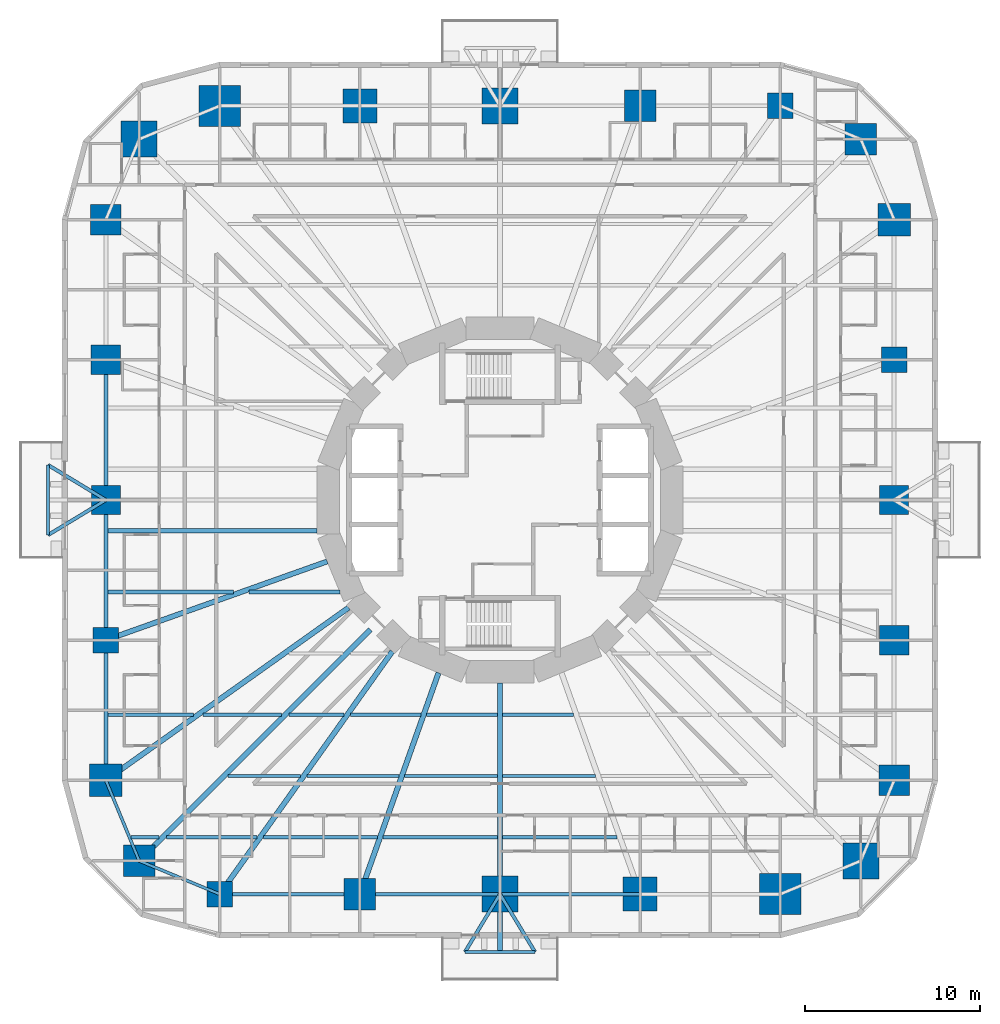
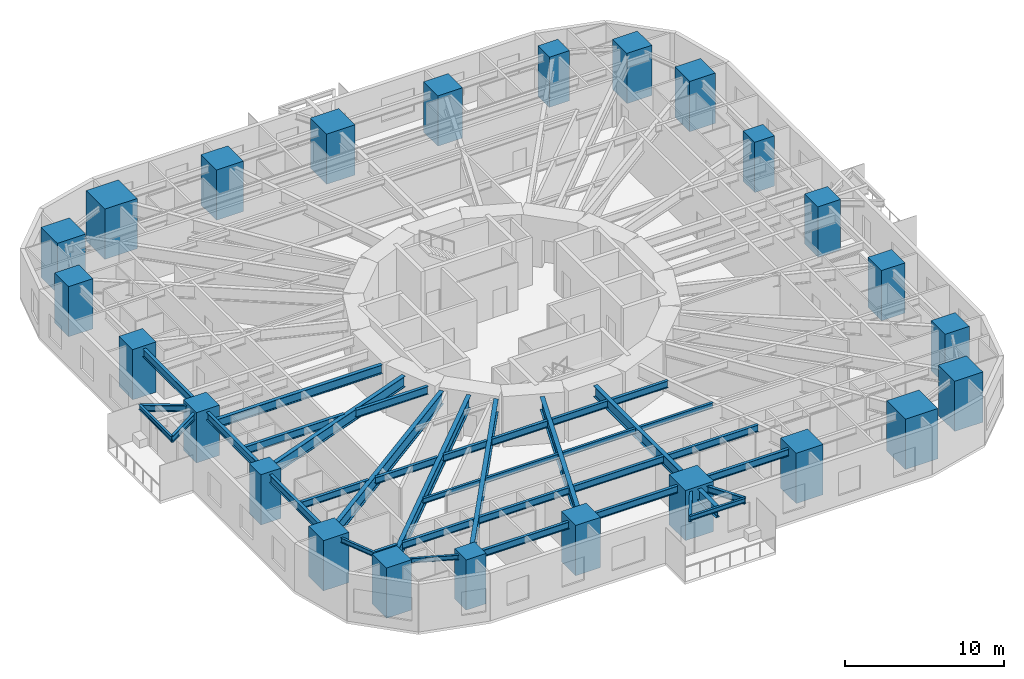
# One storey, part 1 of 14: 38 beams, 24 columns.
"""IFC4 building model written with IfcOpenShell, lengths in metres."""

from ifc_helpers import new_model, si_unit, direction, frame, origin, origin_2d, place, context, subcontext, project, spatial, rectangle, i_section, extrude, material, material_profile, profile_set, type_object, element, save


model = new_model("IFC4")

# Units and contexts
model_context = context("Model", 3, precision=1e-05, world=origin(), true_north=direction((0.0, 1.0)))
body_context = subcontext(model_context, "Body", "Model", "MODEL_VIEW")
ifc_project = project(units=[si_unit("LENGTHUNIT", "METRE"), si_unit("AREAUNIT", "SQUARE_METRE"), si_unit("VOLUMEUNIT", "CUBIC_METRE"), si_unit("PLANEANGLEUNIT", "RADIAN"), si_unit("MASSUNIT", "GRAM", prefix="KILO")], contexts=[model_context])

# Site, building, storey
site_placement = place(None, origin())
site = spatial("IfcSite", under=ifc_project, at=site_placement, CompositionType="ELEMENT")
building_placement = place(site_placement, origin())
building = spatial("IfcBuilding", under=site, at=building_placement, Name="Nakasero Lantern House", CompositionType="ELEMENT")
storey_placement = place(building_placement, frame((0.0, 0.0, 31.39990234375)))
storey = spatial("IfcBuildingStorey", under=building, at=storey_placement, Name="L07", CompositionType="ELEMENT", Elevation=31.39990234375)

# Columns
ifc_material_1 = material(Name="Concrete C50/60", Category="concrete")
ifc_material_profile_1 = material_profile(ifc_material_1, rectangle(XDim=1.800048828125, YDim=1.800048828125, at=origin_2d()), Name="RC 1800x1800")
ifc_profile_set_1 = profile_set([ifc_material_profile_1], Name="Concrete C50/60")
column_type_1 = type_object("IfcColumnType", Name="Mega column RC 1800x1800 C50/60", PredefinedType="COLUMN", material=ifc_profile_set_1)
for number, where, z_axis, x_axis, name in (
    (1, (20.59619140625, 20.59619140625, 0.0), (0.0, 0.0, 1.0), (1.0, 0.0, 0.0), "Column B1-C06 L07"),
    (2, (-20.59619140625, -20.59619140625, 0.0), (0.0, 0.0, 1.0), (1.0, 0.0, 0.0), "Column B1-C18 L07"),
):
    element("IfcColumn", number, at=place(storey_placement, frame(where, z_axis=z_axis, x_axis=x_axis)), inside=storey, type_object=column_type_1, Name=name, PredefinedType="COLUMN", context=body_context, shape_type="SweptSolid", body=[
        extrude(rectangle(XDim=1.800048828125, YDim=1.800048828125, at=origin_2d()), origin(), (0.0, 0.0, 1.0), 3.85009765625),
    ])
ifc_material_2 = material(Name="Concrete C50/60", Category="concrete")
ifc_material_profile_2 = material_profile(ifc_material_2, rectangle(XDim=2.050048828125, YDim=2.050048828125, at=origin_2d()), Name="RC 2050x2050")
ifc_profile_set_2 = profile_set([ifc_material_profile_2], Name="Concrete C50/60")
column_type_2 = type_object("IfcColumnType", Name="Mega column RC 2050x2050 C50/60", PredefinedType="COLUMN", material=ifc_profile_set_2)
for number, where, z_axis, x_axis, name in (
    (3, (-20.59619140625, 20.59619140625, 0.0), (0.0, 0.0, 1.0), (1.0, 0.0, 0.0), "Column B1-C12 L07"),
    (4, (20.59619140625, -20.59619140625, 0.0), (0.0, 0.0, 1.0), (1.0, 0.0, 0.0), "Column B1-C24 L07"),
):
    element("IfcColumn", number, at=place(storey_placement, frame(where, z_axis=z_axis, x_axis=x_axis)), inside=storey, type_object=column_type_2, Name=name, PredefinedType="COLUMN", context=body_context, shape_type="SweptSolid", body=[
        extrude(rectangle(XDim=2.050048828125, YDim=2.050048828125, at=origin_2d()), origin(), (0.0, 0.0, 1.0), 3.85009765625),
    ])
ifc_material_3 = material(Name="Concrete C50/60", Category="concrete")
ifc_material_profile_3 = material_profile(ifc_material_3, rectangle(XDim=1.449951171875, YDim=1.449951171875, at=origin_2d()), Name="RC 1450x1450")
ifc_profile_set_3 = profile_set([ifc_material_profile_3], Name="Concrete C50/60")
column_type_3 = type_object("IfcColumnType", Name="Ring column RC 1450x1450 C50/60", PredefinedType="COLUMN", material=ifc_profile_set_3)
for number, where, z_axis, x_axis, name in (
    (5, (22.5, 8.0, 0.0), (0.0, 0.0, 1.0), (1.0, 0.0, 0.0), "Column B1-C04 L07"),
    (6, (16.0, 22.5, 0.0), (0.0, 0.0, 1.0), (1.0, 0.0, 0.0), "Column B1-C07 L07"),
    (7, (-22.5, -8.0, 0.0), (0.0, 0.0, 1.0), (1.0, 0.0, 0.0), "Column B1-C16 L07"),
    (8, (-16.0, -22.5, 0.0), (0.0, 0.0, 1.0), (1.0, 0.0, 0.0), "Column B1-C19 L07"),
):
    element("IfcColumn", number, at=place(storey_placement, frame(where, z_axis=z_axis, x_axis=x_axis)), inside=storey, type_object=column_type_3, Name=name, PredefinedType="COLUMN", context=body_context, shape_type="SweptSolid", body=[
        extrude(rectangle(XDim=1.449951171875, YDim=1.449951171875, at=origin_2d()), origin(), (0.0, 0.0, 1.0), 3.85009765625),
    ])
ifc_material_4 = material(Name="Concrete C50/60", Category="concrete")
ifc_material_profile_4 = material_profile(ifc_material_4, rectangle(XDim=1.64990234375, YDim=1.64990234375, at=origin_2d()), Name="RC 1650x1650")
ifc_profile_set_4 = profile_set([ifc_material_profile_4], Name="Concrete C50/60")
column_type_4 = type_object("IfcColumnType", Name="Ring column RC 1650x1650 C50/60", PredefinedType="COLUMN", material=ifc_profile_set_4)
for number, where, z_axis, x_axis, name in (
    (9, (22.5, 0.0, 0.0), (0.0, 0.0, 1.0), (1.0, 0.0, 0.0), "Column B1-C03 L07"),
    (10, (-22.5, 0.0, 0.0), (0.0, 0.0, 1.0), (1.0, 0.0, 0.0), "Column B1-C15 L07"),
):
    element("IfcColumn", number, at=place(storey_placement, frame(where, z_axis=z_axis, x_axis=x_axis)), inside=storey, type_object=column_type_4, Name=name, PredefinedType="COLUMN", context=body_context, shape_type="SweptSolid", body=[
        extrude(rectangle(XDim=1.64990234375, YDim=1.64990234375, at=origin_2d()), origin(), (0.0, 0.0, 1.0), 3.85009765625),
    ])
ifc_material_5 = material(Name="Concrete C50/60", Category="concrete")
ifc_material_profile_5 = material_profile(ifc_material_5, rectangle(XDim=1.699951171875, YDim=1.699951171875, at=origin_2d()), Name="RC 1700x1700")
ifc_profile_set_5 = profile_set([ifc_material_profile_5], Name="Concrete C50/60")
column_type_5 = type_object("IfcColumnType", Name="Ring column RC 1700x1700 C50/60", PredefinedType="COLUMN", material=ifc_profile_set_5)
for number, where, z_axis, x_axis, name in (
    (11, (22.5, -8.0, 0.0), (0.0, 0.0, 1.0), (1.0, 0.0, 0.0), "Column B1-C02 L07"),
    (12, (-22.5, 8.0, 0.0), (0.0, 0.0, 1.0), (1.0, 0.0, 0.0), "Column B1-C14 L07"),
):
    element("IfcColumn", number, at=place(storey_placement, frame(where, z_axis=z_axis, x_axis=x_axis)), inside=storey, type_object=column_type_5, Name=name, PredefinedType="COLUMN", context=body_context, shape_type="SweptSolid", body=[
        extrude(rectangle(XDim=1.699951171875, YDim=1.699951171875, at=origin_2d()), origin(), (0.0, 0.0, 1.0), 3.85009765625),
    ])
ifc_material_6 = material(Name="Concrete C50/60", Category="concrete")
ifc_material_profile_6 = material_profile(ifc_material_6, rectangle(XDim=1.75, YDim=1.75, at=origin_2d()), Name="RC 1750x1750")
ifc_profile_set_6 = profile_set([ifc_material_profile_6], Name="Concrete C50/60")
column_type_6 = type_object("IfcColumnType", Name="Ring column RC 1750x1750 C50/60", PredefinedType="COLUMN", material=ifc_profile_set_6)
for number, where, z_axis, x_axis, name in (
    (13, (22.5, -16.0, 0.0), (0.0, 0.0, 1.0), (1.0, 0.0, 0.0), "Column B1-C01 L07"),
    (14, (-22.5, 16.0, 0.0), (0.0, 0.0, 1.0), (1.0, 0.0, 0.0), "Column B1-C13 L07"),
):
    element("IfcColumn", number, at=place(storey_placement, frame(where, z_axis=z_axis, x_axis=x_axis)), inside=storey, type_object=column_type_6, Name=name, PredefinedType="COLUMN", context=body_context, shape_type="SweptSolid", body=[
        extrude(rectangle(XDim=1.75, YDim=1.75, at=origin_2d()), origin(), (0.0, 0.0, 1.0), 3.85009765625),
    ])
ifc_material_7 = material(Name="Concrete C50/60", Category="concrete")
ifc_material_profile_7 = material_profile(ifc_material_7, rectangle(XDim=1.800048828125, YDim=1.800048828125, at=origin_2d()), Name="RC 1800x1800")
ifc_profile_set_7 = profile_set([ifc_material_profile_7], Name="Concrete C50/60")
column_type_7 = type_object("IfcColumnType", Name="Ring column RC 1800x1800 C50/60", PredefinedType="COLUMN", material=ifc_profile_set_7)
for number, where, z_axis, x_axis, name in (
    (15, (8.0, 22.5, 0.0), (0.0, 0.0, 1.0), (1.0, 0.0, 0.0), "Column B1-C08 L07"),
    (16, (-8.0, -22.5, 0.0), (0.0, 0.0, 1.0), (1.0, 0.0, 0.0), "Column B1-C20 L07"),
):
    element("IfcColumn", number, at=place(storey_placement, frame(where, z_axis=z_axis, x_axis=x_axis)), inside=storey, type_object=column_type_7, Name=name, PredefinedType="COLUMN", context=body_context, shape_type="SweptSolid", body=[
        extrude(rectangle(XDim=1.800048828125, YDim=1.800048828125, at=origin_2d()), origin(), (0.0, 0.0, 1.0), 3.85009765625),
    ])
ifc_material_8 = material(Name="Concrete C50/60", Category="concrete")
ifc_material_profile_8 = material_profile(ifc_material_8, rectangle(XDim=1.85009765625, YDim=1.85009765625, at=origin_2d()), Name="RC 1850x1850")
ifc_profile_set_8 = profile_set([ifc_material_profile_8], Name="Concrete C50/60")
column_type_8 = type_object("IfcColumnType", Name="Ring column RC 1850x1850 C50/60", PredefinedType="COLUMN", material=ifc_profile_set_8)
for number, where, z_axis, x_axis, name in (
    (17, (22.5, 16.0, 0.0), (0.0, 0.0, 1.0), (1.0, 0.0, 0.0), "Column B1-C05 L07"),
    (18, (-22.5, -16.0, 0.0), (0.0, 0.0, 1.0), (1.0, 0.0, 0.0), "Column B1-C17 L07"),
):
    element("IfcColumn", number, at=place(storey_placement, frame(where, z_axis=z_axis, x_axis=x_axis)), inside=storey, type_object=column_type_8, Name=name, PredefinedType="COLUMN", context=body_context, shape_type="SweptSolid", body=[
        extrude(rectangle(XDim=1.85009765625, YDim=1.85009765625, at=origin_2d()), origin(), (0.0, 0.0, 1.0), 3.85009765625),
    ])
ifc_material_9 = material(Name="Concrete C50/60", Category="concrete")
ifc_material_profile_9 = material_profile(ifc_material_9, rectangle(XDim=1.949951171875, YDim=1.949951171875, at=origin_2d()), Name="RC 1950x1950")
ifc_profile_set_9 = profile_set([ifc_material_profile_9], Name="Concrete C50/60")
column_type_9 = type_object("IfcColumnType", Name="Ring column RC 1950x1950 C50/60", PredefinedType="COLUMN", material=ifc_profile_set_9)
for number, where, z_axis, x_axis, name in (
    (19, (-8.0, 22.5, 0.0), (0.0, 0.0, 1.0), (1.0, 0.0, 0.0), "Column B1-C10 L07"),
    (20, (8.0, -22.5, 0.0), (0.0, 0.0, 1.0), (1.0, 0.0, 0.0), "Column B1-C22 L07"),
):
    element("IfcColumn", number, at=place(storey_placement, frame(where, z_axis=z_axis, x_axis=x_axis)), inside=storey, type_object=column_type_9, Name=name, PredefinedType="COLUMN", context=body_context, shape_type="SweptSolid", body=[
        extrude(rectangle(XDim=1.949951171875, YDim=1.949951171875, at=origin_2d()), origin(), (0.0, 0.0, 1.0), 3.85009765625),
    ])
ifc_material_10 = material(Name="Concrete C50/60", Category="concrete")
ifc_material_profile_10 = material_profile(ifc_material_10, rectangle(XDim=2.050048828125, YDim=2.050048828125, at=origin_2d()), Name="RC 2050x2050")
ifc_profile_set_10 = profile_set([ifc_material_profile_10], Name="Concrete C50/60")
column_type_10 = type_object("IfcColumnType", Name="Ring column RC 2050x2050 C50/60", PredefinedType="COLUMN", material=ifc_profile_set_10)
for number, where, z_axis, x_axis, name in (
    (21, (0.0, 22.5, 0.0), (0.0, 0.0, 1.0), (1.0, 0.0, 0.0), "Column B1-C09 L07"),
    (22, (0.0, -22.5, 0.0), (0.0, 0.0, 1.0), (1.0, 0.0, 0.0), "Column B1-C21 L07"),
):
    element("IfcColumn", number, at=place(storey_placement, frame(where, z_axis=z_axis, x_axis=x_axis)), inside=storey, type_object=column_type_10, Name=name, PredefinedType="COLUMN", context=body_context, shape_type="SweptSolid", body=[
        extrude(rectangle(XDim=2.050048828125, YDim=2.050048828125, at=origin_2d()), origin(), (0.0, 0.0, 1.0), 3.85009765625),
    ])
ifc_material_11 = material(Name="Concrete C50/60", Category="concrete")
ifc_material_profile_11 = material_profile(ifc_material_11, rectangle(XDim=2.35009765625, YDim=2.35009765625, at=origin_2d()), Name="RC 2350x2350")
ifc_profile_set_11 = profile_set([ifc_material_profile_11], Name="Concrete C50/60")
column_type_11 = type_object("IfcColumnType", Name="Ring column RC 2350x2350 C50/60", PredefinedType="COLUMN", material=ifc_profile_set_11)
for number, where, z_axis, x_axis, name in (
    (23, (-16.0, 22.5, 0.0), (0.0, 0.0, 1.0), (1.0, 0.0, 0.0), "Column B1-C11 L07"),
    (24, (16.0, -22.5, 0.0), (0.0, 0.0, 1.0), (1.0, 0.0, 0.0), "Column B1-C23 L07"),
):
    element("IfcColumn", number, at=place(storey_placement, frame(where, z_axis=z_axis, x_axis=x_axis)), inside=storey, type_object=column_type_11, Name=name, PredefinedType="COLUMN", context=body_context, shape_type="SweptSolid", body=[
        extrude(rectangle(XDim=2.35009765625, YDim=2.35009765625, at=origin_2d()), origin(), (0.0, 0.0, 1.0), 3.85009765625),
    ])

# Beams
ifc_material_12 = material(Name="Steel S355", Category="steel")
ifc_material_profile_12 = material_profile(ifc_material_12, i_section(OverallWidth=0.199462890625, OverallDepth=0.491943359375, WebThickness=0.01806640625, FlangeThickness=0.031982421875, FilletRadius=0.01025390625, at=origin_2d()), Name="UB 457x191x161")
ifc_profile_set_12 = profile_set([ifc_material_profile_12], Name="Steel S355")
beam_type_1 = type_object("IfcBeamType", Name="Balcony splay beam UB 457x191x161", PredefinedType="BEAM", material=ifc_profile_set_12)
for number, where, z_axis, x_axis, name in (
    (25, (-22.5, 0.0, 3.404052734375), (-0.855201230787, -0.518296107317, 0.0), (0.518296107317, -0.855201230787, 0.0), "Balcony splay beam L08 B1-C15A"),
    (26, (-22.5, 0.0, 3.404052734375), (-0.855201230787, 0.518296107317, 0.0), (-0.518296107317, -0.855201230787, 0.0), "Balcony splay beam L08 B1-C15B"),
    (27, (0.0, -22.5, 3.404052734375), (0.518296107317, -0.855201230787, 0.0), (0.855201230787, 0.518296107317, 0.0), "Balcony splay beam L08 B1-C21A"),
    (28, (0.0, -22.5, 3.404052734375), (-0.518296107317, -0.855201230787, 0.0), (0.855201230787, -0.518296107317, 0.0), "Balcony splay beam L08 B1-C21B"),
):
    element("IfcBeam", number, at=place(storey_placement, frame(where, z_axis=z_axis, x_axis=x_axis)), inside=storey, type_object=beam_type_1, Name=name, PredefinedType="BEAM", context=body_context, shape_type="SweptSolid", body=[
        extrude(i_section(OverallWidth=0.199462890625, OverallDepth=0.491943359375, WebThickness=0.01806640625, FlangeThickness=0.031982421875, FilletRadius=0.01025390625, at=origin_2d()), origin(), (0.0, 0.0, 1.0), 3.85888671875),
    ])
ifc_material_13 = material(Name="Steel S355", Category="steel")
ifc_material_profile_13 = material_profile(ifc_material_13, i_section(OverallWidth=0.17138671875, OverallDepth=0.35498046875, WebThickness=0.00732421875, FlangeThickness=0.011474609375, FilletRadius=0.01025390625, at=origin_2d()), Name="UB 356x171x51")
ifc_profile_set_13 = profile_set([ifc_material_profile_13], Name="Steel S355")
beam_type_2 = type_object("IfcBeamType", Name="Balcony tie beam UB 356x171x51", PredefinedType="BEAM", material=ifc_profile_set_13)
for number, where, z_axis, x_axis, name in (
    (29, (-25.800048828125, -2.0, 3.47265625), (0.0, 1.0, 0.0), (-1.0, 0.0, 0.0), "Balcony tie beam L08 B1-C15"),
    (30, (2.0, -25.800048828125, 3.47265625), (-1.0, 0.0, 0.0), (0.0, -1.0, 0.0), "Balcony tie beam L08 B1-C21"),
):
    element("IfcBeam", number, at=place(storey_placement, frame(where, z_axis=z_axis, x_axis=x_axis)), inside=storey, type_object=beam_type_2, Name=name, PredefinedType="BEAM", context=body_context, shape_type="SweptSolid", body=[
        extrude(i_section(OverallWidth=0.17138671875, OverallDepth=0.35498046875, WebThickness=0.00732421875, FlangeThickness=0.011474609375, FilletRadius=0.01025390625, at=origin_2d()), origin(), (0.0, 0.0, 1.0), 4.0),
    ])
ifc_material_14 = material(Name="Steel S355", Category="steel")
ifc_material_profile_14 = material_profile(ifc_material_14, i_section(OverallWidth=0.177978515625, OverallDepth=0.406494140625, WebThickness=0.0078125, FlangeThickness=0.0126953125, FilletRadius=0.01025390625, at=origin_2d()), Name="UB 406x178x60")
ifc_profile_set_14 = profile_set([ifc_material_profile_14], Name="Steel S355")
beam_type_3 = type_object("IfcBeamType", Name="Infill beam UB 406x178x60", PredefinedType="JOIST", material=ifc_profile_set_14)
beam_1_placement = place(storey_placement, frame((-15.537841796875, -15.75, 3.44677734375), z_axis=(1.0, 0.0, 0.0), x_axis=(0.0, 1.0, 0.0)))
element("IfcBeam", 31, at=beam_1_placement, inside=storey, type_object=beam_type_3, Name="Infill beam L08 03.1", PredefinedType="JOIST", context=body_context, shape_type="SweptSolid", body=[
    extrude(i_section(OverallWidth=0.177978515625, OverallDepth=0.406494140625, WebThickness=0.0078125, FlangeThickness=0.0126953125, FilletRadius=0.01025390625, at=origin_2d()), origin(), (0.0, 0.0, 1.0), 4.15380859375),
])
beam_2_placement = place(storey_placement, frame((-11.015869140625, -15.75, 3.44677734375), z_axis=(1.0, 0.0, 0.0), x_axis=(0.0, 1.0, 0.0)))
element("IfcBeam", 32, at=beam_2_placement, inside=storey, type_object=beam_type_3, Name="Infill beam L08 03.2", PredefinedType="JOIST", context=body_context, shape_type="SweptSolid", body=[
    extrude(i_section(OverallWidth=0.177978515625, OverallDepth=0.406494140625, WebThickness=0.0078125, FlangeThickness=0.0126953125, FilletRadius=0.01025390625, at=origin_2d()), origin(), (0.0, 0.0, 1.0), 5.256591796875),
])
for number, where, z_axis, x_axis, name in (
    (33, (-5.44091796875, -15.75, 3.44677734375), (1.0, 0.0, 0.0), (0.0, 1.0, 0.0), "Infill beam L08 03.3"),
    (34, (0.146240234375, -15.75, 3.44677734375), (1.0, 0.0, 0.0), (0.0, 1.0, 0.0), "Infill beam L08 03.4"),
):
    element("IfcBeam", number, at=place(storey_placement, frame(where, z_axis=z_axis, x_axis=x_axis)), inside=storey, type_object=beam_type_3, Name=name, PredefinedType="JOIST", context=body_context, shape_type="SweptSolid", body=[
        extrude(i_section(OverallWidth=0.177978515625, OverallDepth=0.406494140625, WebThickness=0.0078125, FlangeThickness=0.0126953125, FilletRadius=0.01025390625, at=origin_2d()), origin(), (0.0, 0.0, 1.0), 5.294677734375),
    ])
ifc_material_15 = material(Name="Steel S355", Category="steel")
ifc_material_profile_15 = material_profile(ifc_material_15, i_section(OverallWidth=0.208740234375, OverallDepth=0.5283203125, WebThickness=0.009521484375, FlangeThickness=0.01318359375, FilletRadius=0.0126953125, at=origin_2d()), Name="UB 533x210x82")
ifc_profile_set_15 = profile_set([ifc_material_profile_15], Name="Steel S355")
beam_type_4 = type_object("IfcBeamType", Name="Infill beam UB 533x210x82", PredefinedType="JOIST", material=ifc_profile_set_15)
beam_3_placement = place(storey_placement, frame((-21.06103515625, -19.25, 3.385986328125), z_axis=(1.0, 0.0, 0.0), x_axis=(0.0, 1.0, 0.0)))
element("IfcBeam", 35, at=beam_3_placement, inside=storey, type_object=beam_type_4, Name="Infill beam L08 02.1", PredefinedType="JOIST", context=body_context, shape_type="SweptSolid", body=[
    extrude(i_section(OverallWidth=0.208740234375, OverallDepth=0.5283203125, WebThickness=0.009521484375, FlangeThickness=0.01318359375, FilletRadius=0.0126953125, at=origin_2d()), origin(), (0.0, 0.0, 1.0), 1.598876953125),
])
beam_4_placement = place(storey_placement, frame((-19.037841796875, -19.25, 3.385986328125), z_axis=(1.0, 0.0, 0.0), x_axis=(0.0, 1.0, 0.0)))
element("IfcBeam", 36, at=beam_4_placement, inside=storey, type_object=beam_type_4, Name="Infill beam L08 02.2", PredefinedType="JOIST", context=body_context, shape_type="SweptSolid", body=[
    extrude(i_section(OverallWidth=0.208740234375, OverallDepth=0.5283203125, WebThickness=0.009521484375, FlangeThickness=0.01318359375, FilletRadius=0.0126953125, at=origin_2d()), origin(), (0.0, 0.0, 1.0), 5.164794921875),
])
beam_5_placement = place(storey_placement, frame((-13.5048828125, -19.25, 3.385986328125), z_axis=(1.0, 0.0, 0.0), x_axis=(0.0, 1.0, 0.0)))
element("IfcBeam", 37, at=beam_5_placement, inside=storey, type_object=beam_type_4, Name="Infill beam L08 02.3", PredefinedType="JOIST", context=body_context, shape_type="SweptSolid", body=[
    extrude(i_section(OverallWidth=0.208740234375, OverallDepth=0.5283203125, WebThickness=0.009521484375, FlangeThickness=0.01318359375, FilletRadius=0.0126953125, at=origin_2d()), origin(), (0.0, 0.0, 1.0), 6.501220703125),
])
for number, where, z_axis, x_axis, name in (
    (38, (-6.685302734375, -19.25, 3.385986328125), (1.0, 0.0, 0.0), (0.0, 1.0, 0.0), "Infill beam L08 02.4"),
    (39, (0.146240234375, -19.25, 3.385986328125), (1.0, 0.0, 0.0), (0.0, 1.0, 0.0), "Infill beam L08 02.5"),
):
    element("IfcBeam", number, at=place(storey_placement, frame(where, z_axis=z_axis, x_axis=x_axis)), inside=storey, type_object=beam_type_4, Name=name, PredefinedType="JOIST", context=body_context, shape_type="SweptSolid", body=[
        extrude(i_section(OverallWidth=0.208740234375, OverallDepth=0.5283203125, WebThickness=0.009521484375, FlangeThickness=0.01318359375, FilletRadius=0.0126953125, at=origin_2d()), origin(), (0.0, 0.0, 1.0), 6.5390625),
    ])
beam_6_placement = place(storey_placement, frame((-22.385498046875, -12.25, 3.385986328125), z_axis=(1.0, 0.0, 0.0), x_axis=(0.0, 1.0, 0.0)))
element("IfcBeam", 40, at=beam_6_placement, inside=storey, type_object=beam_type_4, Name="Infill beam L08 04.1", PredefinedType="JOIST", context=body_context, shape_type="SweptSolid", body=[
    extrude(i_section(OverallWidth=0.208740234375, OverallDepth=0.5283203125, WebThickness=0.009521484375, FlangeThickness=0.01318359375, FilletRadius=0.0126953125, at=origin_2d()), origin(), (0.0, 0.0, 1.0), 4.900146484375),
])
beam_7_placement = place(storey_placement, frame((-16.9677734375, -12.25, 3.385986328125), z_axis=(1.0, 0.0, 0.0), x_axis=(0.0, 1.0, 0.0)))
element("IfcBeam", 41, at=beam_7_placement, inside=storey, type_object=beam_type_4, Name="Infill beam L08 04.2", PredefinedType="JOIST", context=body_context, shape_type="SweptSolid", body=[
    extrude(i_section(OverallWidth=0.208740234375, OverallDepth=0.5283203125, WebThickness=0.009521484375, FlangeThickness=0.01318359375, FilletRadius=0.0126953125, at=origin_2d()), origin(), (0.0, 0.0, 1.0), 4.505615234375),
])
beam_8_placement = place(storey_placement, frame((-12.037841796875, -12.25, 3.385986328125), z_axis=(1.0, 0.0, 0.0), x_axis=(0.0, 1.0, 0.0)))
element("IfcBeam", 42, at=beam_8_placement, inside=storey, type_object=beam_type_4, Name="Infill beam L08 04.3", PredefinedType="JOIST", context=body_context, shape_type="SweptSolid", body=[
    extrude(i_section(OverallWidth=0.208740234375, OverallDepth=0.5283203125, WebThickness=0.009521484375, FlangeThickness=0.01318359375, FilletRadius=0.0126953125, at=origin_2d()), origin(), (0.0, 0.0, 1.0), 3.142578125),
])
beam_9_placement = place(storey_placement, frame((-8.527099609375, -12.25, 3.385986328125), z_axis=(1.0, 0.0, 0.0), x_axis=(0.0, 1.0, 0.0)))
element("IfcBeam", 43, at=beam_9_placement, inside=storey, type_object=beam_type_4, Name="Infill beam L08 04.4", PredefinedType="JOIST", context=body_context, shape_type="SweptSolid", body=[
    extrude(i_section(OverallWidth=0.208740234375, OverallDepth=0.5283203125, WebThickness=0.009521484375, FlangeThickness=0.01318359375, FilletRadius=0.0126953125, at=origin_2d()), origin(), (0.0, 0.0, 1.0), 4.012451171875),
])
for number, where, z_axis, x_axis, name in (
    (44, (-4.1962890625, -12.25, 3.385986328125), (1.0, 0.0, 0.0), (0.0, 1.0, 0.0), "Infill beam L08 04.5"),
    (45, (0.146240234375, -12.25, 3.385986328125), (1.0, 0.0, 0.0), (0.0, 1.0, 0.0), "Infill beam L08 04.6"),
):
    element("IfcBeam", number, at=place(storey_placement, frame(where, z_axis=z_axis, x_axis=x_axis)), inside=storey, type_object=beam_type_4, Name=name, PredefinedType="JOIST", context=body_context, shape_type="SweptSolid", body=[
        extrude(i_section(OverallWidth=0.208740234375, OverallDepth=0.5283203125, WebThickness=0.009521484375, FlangeThickness=0.01318359375, FilletRadius=0.0126953125, at=origin_2d()), origin(), (0.0, 0.0, 1.0), 4.050048828125),
    ])
ifc_material_16 = material(Name="Steel S355", Category="steel")
ifc_material_profile_16 = material_profile(ifc_material_16, i_section(OverallWidth=0.2275390625, OverallDepth=0.6025390625, WebThickness=0.010498046875, FlangeThickness=0.014892578125, FilletRadius=0.0126953125, at=origin_2d()), Name="UB 610x229x101")
ifc_profile_set_16 = profile_set([ifc_material_profile_16], Name="Steel S355")
beam_type_5 = type_object("IfcBeamType", Name="Infill beam UB 610x229x101", PredefinedType="JOIST", material=ifc_profile_set_16)
beam_10_placement = place(storey_placement, frame((-22.385498046875, -5.25, 3.348876953125), z_axis=(1.0, 0.0, 0.0), x_axis=(0.0, 1.0, 0.0)))
element("IfcBeam", 46, at=beam_10_placement, inside=storey, type_object=beam_type_5, Name="Infill beam L08 06.1", PredefinedType="JOIST", context=body_context, shape_type="SweptSolid", body=[
    extrude(i_section(OverallWidth=0.2275390625, OverallDepth=0.6025390625, WebThickness=0.010498046875, FlangeThickness=0.014892578125, FilletRadius=0.0126953125, at=origin_2d()), origin(), (0.0, 0.0, 1.0), 7.183349609375),
])
beam_11_placement = place(storey_placement, frame((-14.3291015625, -5.25, 3.348876953125), z_axis=(1.0, 0.0, 0.0), x_axis=(0.0, 1.0, 0.0)))
element("IfcBeam", 47, at=beam_11_placement, inside=storey, type_object=beam_type_5, Name="Infill beam L08 06.2", PredefinedType="JOIST", context=body_context, shape_type="SweptSolid", body=[
    extrude(i_section(OverallWidth=0.2275390625, OverallDepth=0.6025390625, WebThickness=0.010498046875, FlangeThickness=0.014892578125, FilletRadius=0.0126953125, at=origin_2d()), origin(), (0.0, 0.0, 1.0), 5.184326171875),
])
ifc_material_17 = material(Name="Steel S355", Category="steel")
ifc_material_profile_17 = material_profile(ifc_material_17, i_section(OverallWidth=0.253662109375, OverallDepth=0.68359375, WebThickness=0.012451171875, FlangeThickness=0.01904296875, FilletRadius=0.01513671875, at=origin_2d()), Name="UB 686x254x140")
ifc_profile_set_17 = profile_set([ifc_material_profile_17], Name="Steel S355")
beam_type_6 = type_object("IfcBeamType", Name="Infill beam UB 686x254x140", PredefinedType="JOIST", material=ifc_profile_set_17)
beam_12_placement = place(storey_placement, frame((-22.385498046875, -1.75, 3.308349609375), z_axis=(1.0, 0.0, 0.0), x_axis=(0.0, 1.0, 0.0)))
element("IfcBeam", 48, at=beam_12_placement, inside=storey, type_object=beam_type_6, Name="Infill beam L08 07.1", PredefinedType="JOIST", context=body_context, shape_type="SweptSolid", body=[
    extrude(i_section(OverallWidth=0.253662109375, OverallDepth=0.68359375, WebThickness=0.012451171875, FlangeThickness=0.01904296875, FilletRadius=0.01513671875, at=origin_2d()), origin(), (0.0, 0.0, 1.0), 11.927734375),
])
ifc_material_18 = material(Name="Steel S355", Category="steel")
ifc_material_profile_18 = material_profile(ifc_material_18, i_section(OverallWidth=0.300048828125, OverallDepth=0.97021484375, WebThickness=0.01611328125, FlangeThickness=0.02099609375, FilletRadius=0.030029296875, at=origin_2d()), Name="UB 1016x305x222")
ifc_profile_set_18 = profile_set([ifc_material_profile_18], Name="Steel S355")
beam_type_7 = type_object("IfcBeamType", Name="Primary beam UB 1016x305x222, span 12 to 15 m", PredefinedType="BEAM", material=ifc_profile_set_18)
beam_13_placement = place(storey_placement, frame((-8.0, -22.5, 3.1650390625), z_axis=(0.335010745293, 0.942214307118, 0.0), x_axis=(-0.942214307118, 0.335010745293, 0.0)))
element("IfcBeam", 49, at=beam_13_placement, inside=storey, type_object=beam_type_7, Name="Primary beam L08 B1-C20", PredefinedType="BEAM", context=body_context, shape_type="SweptSolid", body=[
    extrude(i_section(OverallWidth=0.300048828125, OverallDepth=0.97021484375, WebThickness=0.01611328125, FlangeThickness=0.02099609375, FilletRadius=0.030029296875, at=origin_2d()), origin(), (0.0, 0.0, 1.0), 13.408447265625),
])
ifc_material_19 = material(Name="Steel S355", Category="steel")
ifc_material_profile_19 = material_profile(ifc_material_19, i_section(OverallWidth=0.300048828125, OverallDepth=0.989990234375, WebThickness=0.0166015625, FlangeThickness=0.031005859375, FilletRadius=0.030029296875, at=origin_2d()), Name="UB 1016x305x272")
ifc_profile_set_19 = profile_set([ifc_material_profile_19], Name="Steel S355")
beam_type_8 = type_object("IfcBeamType", Name="Primary beam UB 1016x305x272, span over 15 m", PredefinedType="BEAM", material=ifc_profile_set_19)
beam_14_placement = place(storey_placement, frame((-22.5, -16.0, 3.155029296875), z_axis=(0.814952159915, 0.579528236629, 0.0), x_axis=(-0.579528236629, 0.814952159915, 0.0)))
element("IfcBeam", 50, at=beam_14_placement, inside=storey, type_object=beam_type_8, Name="Primary beam L08 B1-C17", PredefinedType="BEAM", context=body_context, shape_type="SweptSolid", body=[
    extrude(i_section(OverallWidth=0.300048828125, OverallDepth=0.989990234375, WebThickness=0.0166015625, FlangeThickness=0.031005859375, FilletRadius=0.030029296875, at=origin_2d()), origin(), (0.0, 0.0, 1.0), 17.003173828125),
])
beam_15_placement = place(storey_placement, frame((-20.59619140625, -20.59619140625, 3.155029296875), z_axis=(0.707106781187, 0.707106781187, 0.0), x_axis=(-0.707106781187, 0.707106781187, 0.0)))
element("IfcBeam", 51, at=beam_15_placement, inside=storey, type_object=beam_type_8, Name="Primary beam L08 B1-C18", PredefinedType="BEAM", context=body_context, shape_type="SweptSolid", body=[
    extrude(i_section(OverallWidth=0.300048828125, OverallDepth=0.989990234375, WebThickness=0.0166015625, FlangeThickness=0.031005859375, FilletRadius=0.030029296875, at=origin_2d()), origin(), (0.0, 0.0, 1.0), 18.669677734375),
])
ifc_material_20 = material(Name="Steel S355", Category="steel")
ifc_material_profile_20 = material_profile(ifc_material_20, i_section(OverallWidth=0.300048828125, OverallDepth=1.0, WebThickness=0.01904296875, FlangeThickness=0.035888671875, FilletRadius=0.030029296875, at=origin_2d()), Name="UB 1016x305x314")
ifc_profile_set_20 = profile_set([ifc_material_profile_20], Name="Steel S355")
beam_type_9 = type_object("IfcBeamType", Name="Primary beam UB 1016x305x314, span over 15 m", PredefinedType="BEAM", material=ifc_profile_set_20)
beam_16_placement = place(storey_placement, frame((-16.0, -22.5, 3.150146484375), z_axis=(0.579528236629, 0.814952159915, 0.0), x_axis=(-0.814952159915, 0.579528236629, 0.0)))
element("IfcBeam", 52, at=beam_16_placement, inside=storey, type_object=beam_type_9, Name="Primary beam L08 B1-C19", PredefinedType="BEAM", context=body_context, shape_type="SweptSolid", body=[
    extrude(i_section(OverallWidth=0.300048828125, OverallDepth=1.0, WebThickness=0.01904296875, FlangeThickness=0.035888671875, FilletRadius=0.030029296875, at=origin_2d()), origin(), (0.0, 0.0, 1.0), 17.003173828125),
])
ifc_material_21 = material(Name="Steel S355", Category="steel")
ifc_material_profile_21 = material_profile(ifc_material_21, i_section(OverallWidth=0.29248046875, OverallDepth=0.8408203125, WebThickness=0.0146484375, FlangeThickness=0.02685546875, FilletRadius=0.017822265625, at=origin_2d()), Name="UB 838x292x194")
ifc_profile_set_21 = profile_set([ifc_material_profile_21], Name="Steel S355")
beam_type_10 = type_object("IfcBeamType", Name="Primary beam UB 838x292x194, span 12 to 15 m", PredefinedType="BEAM", material=ifc_profile_set_21)
beam_17_placement = place(storey_placement, frame((-22.5, -8.0, 3.229736328125), z_axis=(0.942214307118, 0.335010745293, 0.0), x_axis=(-0.335010745293, 0.942214307118, 0.0)))
element("IfcBeam", 53, at=beam_17_placement, inside=storey, type_object=beam_type_10, Name="Primary beam L08 B1-C16", PredefinedType="BEAM", context=body_context, shape_type="SweptSolid", body=[
    extrude(i_section(OverallWidth=0.29248046875, OverallDepth=0.8408203125, WebThickness=0.0146484375, FlangeThickness=0.02685546875, FilletRadius=0.017822265625, at=origin_2d()), origin(), (0.0, 0.0, 1.0), 13.408447265625),
])
beam_18_placement = place(storey_placement, frame((0.0, -25.800048828125, 3.229736328125), z_axis=(0.0, 1.0, 0.0), x_axis=(-1.0, 0.0, 0.0)))
element("IfcBeam", 54, at=beam_18_placement, inside=storey, type_object=beam_type_10, Name="Primary beam L08 B1-C21", PredefinedType="BEAM", context=body_context, shape_type="SweptSolid", body=[
    extrude(i_section(OverallWidth=0.29248046875, OverallDepth=0.8408203125, WebThickness=0.0146484375, FlangeThickness=0.02685546875, FilletRadius=0.017822265625, at=origin_2d()), origin(), (0.0, 0.0, 1.0), 15.34228515625),
])
ifc_material_22 = material(Name="Steel S355", Category="steel")
ifc_material_profile_22 = material_profile(ifc_material_22, i_section(OverallWidth=0.17138671875, OverallDepth=0.35498046875, WebThickness=0.00732421875, FlangeThickness=0.011474609375, FilletRadius=0.01025390625, at=origin_2d()), Name="UB 356x171x51")
ifc_profile_set_22 = profile_set([ifc_material_profile_22], Name="Steel S355")
beam_type_11 = type_object("IfcBeamType", Name="Ring beam UB 356x171x51", PredefinedType="BEAM", material=ifc_profile_set_22)
for number, where, z_axis, x_axis, name in (
    (55, (-22.5, -16.0, 3.47265625), (0.382684080569, -0.923879264016, 0.0), (0.923879264016, 0.382684080569, 0.0), "Ring beam L08 B1-C17"),
    (56, (-20.59619140625, -20.59619140625, 3.47265625), (0.923879264016, -0.382684080569, 0.0), (0.382684080569, 0.923879264016, 0.0), "Ring beam L08 B1-C18"),
):
    element("IfcBeam", number, at=place(storey_placement, frame(where, z_axis=z_axis, x_axis=x_axis)), inside=storey, type_object=beam_type_11, Name=name, PredefinedType="BEAM", context=body_context, shape_type="SweptSolid", body=[
        extrude(i_section(OverallWidth=0.17138671875, OverallDepth=0.35498046875, WebThickness=0.00732421875, FlangeThickness=0.011474609375, FilletRadius=0.01025390625, at=origin_2d()), origin(), (0.0, 0.0, 1.0), 4.974853515625),
    ])
ifc_material_23 = material(Name="Steel S355", Category="steel")
ifc_material_profile_23 = material_profile(ifc_material_23, i_section(OverallWidth=0.2099609375, OverallDepth=0.53662109375, WebThickness=0.0107421875, FlangeThickness=0.017333984375, FilletRadius=0.0126953125, at=origin_2d()), Name="UB 533x210x101")
ifc_profile_set_23 = profile_set([ifc_material_profile_23], Name="Steel S355")
beam_type_12 = type_object("IfcBeamType", Name="Ring beam UB 533x210x101", PredefinedType="BEAM", material=ifc_profile_set_23)
for number, where, z_axis, x_axis, name in (
    (57, (-16.0, -22.5, 3.3818359375), (1.0, 0.0, 0.0), (0.0, 1.0, 0.0), "Ring beam L08 B1-C19"),
    (58, (-8.0, -22.5, 3.3818359375), (1.0, 0.0, 0.0), (0.0, 1.0, 0.0), "Ring beam L08 B1-C20"),
    (59, (0.0, -22.5, 3.3818359375), (1.0, 0.0, 0.0), (0.0, 1.0, 0.0), "Ring beam L08 B1-C21"),
):
    element("IfcBeam", number, at=place(storey_placement, frame(where, z_axis=z_axis, x_axis=x_axis)), inside=storey, type_object=beam_type_12, Name=name, PredefinedType="BEAM", context=body_context, shape_type="SweptSolid", body=[
        extrude(i_section(OverallWidth=0.2099609375, OverallDepth=0.53662109375, WebThickness=0.0107421875, FlangeThickness=0.017333984375, FilletRadius=0.0126953125, at=origin_2d()), origin(), (0.0, 0.0, 1.0), 8.0),
    ])
ifc_material_24 = material(Name="Steel S355", Category="steel")
ifc_material_profile_24 = material_profile(ifc_material_24, i_section(OverallWidth=0.22900390625, OverallDepth=0.6123046875, WebThickness=0.011962890625, FlangeThickness=0.01953125, FilletRadius=0.0126953125, at=origin_2d()), Name="UB 610x229x125")
ifc_profile_set_24 = profile_set([ifc_material_profile_24], Name="Steel S355")
beam_type_13 = type_object("IfcBeamType", Name="Ring beam UB 610x229x125", PredefinedType="BEAM", material=ifc_profile_set_24)
for number, where, z_axis, x_axis, name in (
    (60, (-22.5, 8.0, 3.343994140625), (0.0, -1.0, 0.0), (1.0, 0.0, 0.0), "Ring beam L08 B1-C14"),
    (61, (-22.5, 0.0, 3.343994140625), (0.0, -1.0, 0.0), (1.0, 0.0, 0.0), "Ring beam L08 B1-C15"),
    (62, (-22.5, -8.0, 3.343994140625), (0.0, -1.0, 0.0), (1.0, 0.0, 0.0), "Ring beam L08 B1-C16"),
):
    element("IfcBeam", number, at=place(storey_placement, frame(where, z_axis=z_axis, x_axis=x_axis)), inside=storey, type_object=beam_type_13, Name=name, PredefinedType="BEAM", context=body_context, shape_type="SweptSolid", body=[
        extrude(i_section(OverallWidth=0.22900390625, OverallDepth=0.6123046875, WebThickness=0.011962890625, FlangeThickness=0.01953125, FilletRadius=0.0126953125, at=origin_2d()), origin(), (0.0, 0.0, 1.0), 8.0),
    ])

save(model, "model.ifc")
